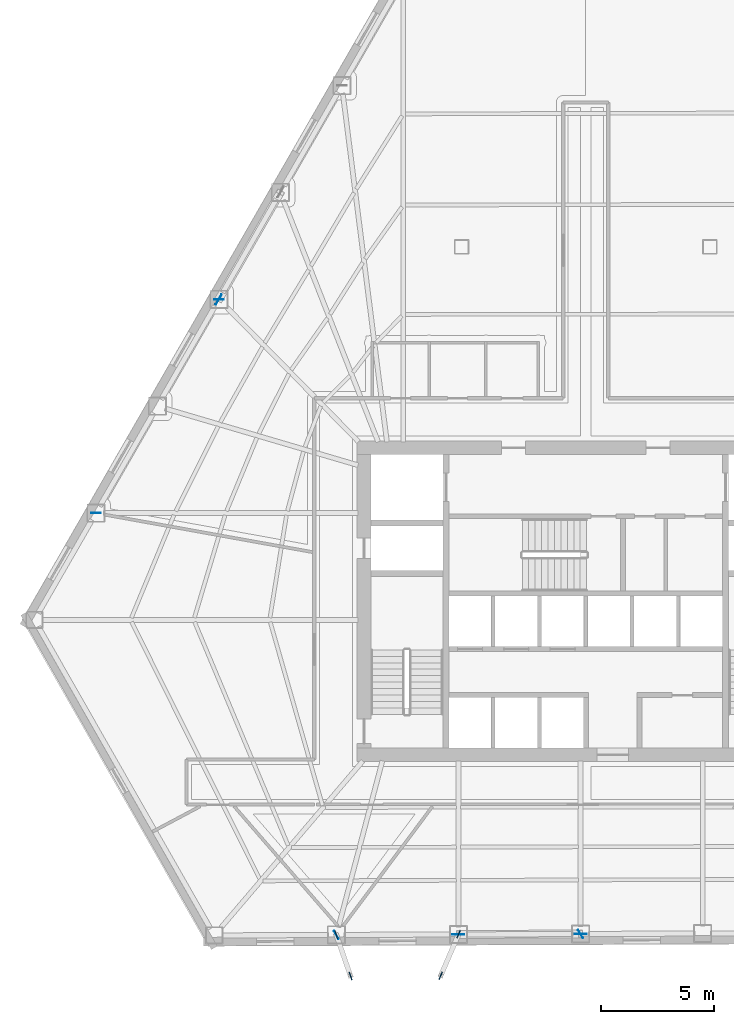
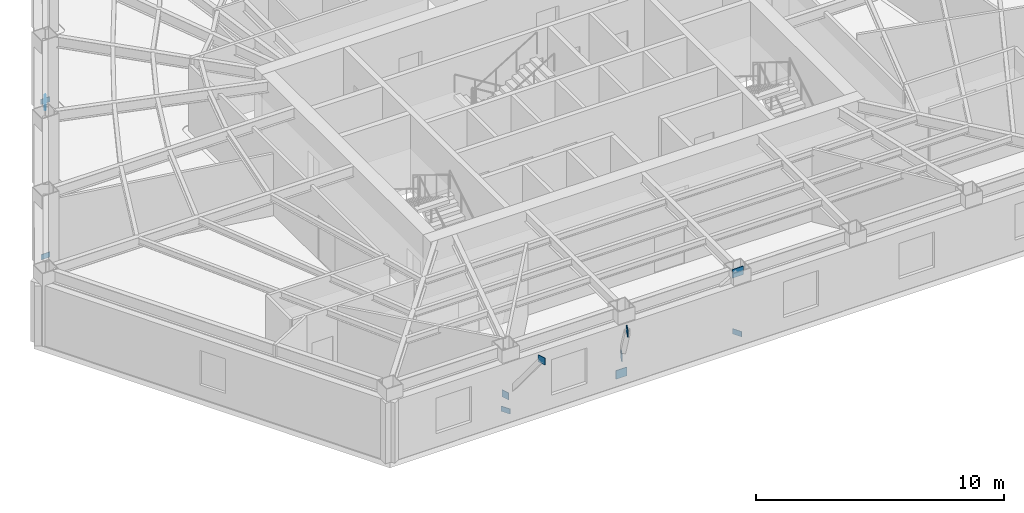
# One storey, part 4 of 12: 11 plates.
"""IFC4 building model written with IfcOpenShell, lengths in metres."""

from ifc_helpers import new_model, si_unit, direction, frame, origin, origin_2d, place, context, subcontext, project, spatial, rectangle, extrude, material, layer, layer_set, type_object, element, save


model = new_model("IFC4")

# Units and contexts
model_context = context("Model", 3, precision=1e-05, world=origin(), true_north=direction((0.0, 1.0)))
body_context = subcontext(model_context, "Body", "Model", "MODEL_VIEW")
ifc_project = project(units=[si_unit("LENGTHUNIT", "METRE"), si_unit("AREAUNIT", "SQUARE_METRE"), si_unit("VOLUMEUNIT", "CUBIC_METRE"), si_unit("PLANEANGLEUNIT", "RADIAN"), si_unit("MASSUNIT", "GRAM", prefix="KILO")], contexts=[model_context])

# Site, building, storey
site_placement = place(None, origin())
site = spatial("IfcSite", under=ifc_project, at=site_placement, CompositionType="ELEMENT")
building_placement = place(site_placement, origin())
building = spatial("IfcBuilding", under=site, at=building_placement, Name="Kavelnor Concourse Tower", CompositionType="ELEMENT")
storey_placement = place(building_placement, frame((0.0, 0.0, 13.699951171875)))
storey = spatial("IfcBuildingStorey", under=building, at=storey_placement, Name="L03", CompositionType="ELEMENT", Elevation=13.699951171875)

# Plates
ifc_material = material(Name="Steel Grade 350", Category="steel")
ifc_layer_1 = layer(ifc_material, 0.028076171875, Name="Steel Grade 350")
ifc_layer_set_1 = layer_set([ifc_layer_1], Name="Steel Grade 350")
plate_type_1 = type_object("IfcPlateType", Name="PL-GUSSET-FOLD", PredefinedType="USERDEFINED", material=ifc_layer_set_1)
for number, where, z_axis, x_axis, name in (
    (1, (26.951904296875, 1.3359375, 0.8798828125), (0.0, 0.0, 1.0), (0.3265581205, -0.945177123049, 0.0), "L03 Balcony Strut Gusset GP4 1-A End Gusset A"),
    (2, (27.58447265625, -0.4951171875, 3.48486328125), (0.0, 0.0, 1.0), (0.3265581205, -0.945177123049, 0.0), "L03 Balcony Strut Gusset GP4 1-A End Gusset B"),
    (3, (32.368896484375, 1.357177734375, 0.8798828125), (0.0, 0.0, 1.0), (-0.395224880204, -0.918584396813, 0.0), "L03 Balcony Strut Gusset GP4 1-B End Gusset A"),
    (4, (31.57568359375, -0.486083984375, 3.48486328125), (0.0, 0.0, 1.0), (-0.395224880204, -0.918584396813, 0.0), "L03 Balcony Strut Gusset GP4 1-B End Gusset B"),
):
    element("IfcPlate", number, at=place(storey_placement, frame(where, z_axis=z_axis, x_axis=x_axis)), inside=storey, type_object=plate_type_1, Name=name, ObjectType="GUSSET_PLATE", PredefinedType="USERDEFINED", context=body_context, shape_type="SweptSolid", body=[
        extrude(rectangle(XDim=0.360107421875, YDim=0.028076171875, at=origin_2d()), origin(), (0.0, 0.0, 1.0), 0.340087890625),
    ])
ifc_layer_2 = layer(ifc_material, 0.031982421875, Name="Steel Grade 350")
ifc_layer_set_2 = layer_set([ifc_layer_2], Name="Steel Grade 350")
plate_type_2 = type_object("IfcPlateType", Name="PL-GUSSET-TUBE-Z1", PredefinedType="USERDEFINED", material=ifc_layer_set_2)
for number, where, z_axis, x_axis, name in (
    (5, (21.744140625, 29.467529296875, 0.010009765625), (0.0, 0.0, 1.0), (0.498790313429, 0.866722691078, 0.0), "L03 Tube Brace Gusset GP3 F0-B2 End Gusset A"),
    (6, (32.352294921875, 1.34619140625, 0.010009765625), (0.0, 0.0, 1.0), (0.99999194288, 0.004014246498, 0.0), "L03 Tube Brace Gusset GP3 F1-B2 End Gusset A"),
    (7, (37.784423828125, 1.36767578125, 3.073974609375), (0.0, 0.0, 1.0), (0.99999194288, 0.004014246498, 0.0), "L03 Tube Brace Gusset GP3 F1-B2 End Gusset B"),
):
    element("IfcPlate", number, at=place(storey_placement, frame(where, z_axis=z_axis, x_axis=x_axis)), inside=storey, type_object=plate_type_2, Name=name, ObjectType="GUSSET_PLATE", PredefinedType="USERDEFINED", context=body_context, shape_type="SweptSolid", body=[
        extrude(rectangle(XDim=0.52001953125, YDim=0.031982421875, at=origin_2d()), origin(), (0.0, 0.0, 1.0), 0.419921875),
    ])
ifc_layer_3 = layer(ifc_material, 0.02490234375, Name="Steel Grade 350")
ifc_layer_set_3 = layer_set([ifc_layer_3], Name="Steel Grade 350")
plate_type_3 = type_object("IfcPlateType", Name="PL-SPLICE-FLANGE", PredefinedType="SHEET", material=ifc_layer_set_3)
for number, where, z_axis, x_axis, name in (
    (8, (21.75, 29.477783203125, 0.169921875), (0.0, 0.0, 1.0), (1.0, 0.0, 0.0), "L03 Column Flange Splice Plate F0-B3"),
    (9, (16.302978515625, 20.01171875, 0.169921875), (0.0, 0.0, 1.0), (1.0, 0.0, 0.0), "L03 Column Flange Splice Plate F0-B5"),
    (10, (26.955810546875, 1.32470703125, 0.169921875), (0.0, 0.0, 1.0), (-0.5, 0.866025403784, 0.0), "L03 Column Flange Splice Plate F1-B1"),
    (11, (37.7724609375, 1.36767578125, 0.169921875), (0.0, 0.0, 1.0), (-0.5, 0.866025403784, 0.0), "L03 Column Flange Splice Plate F1-B3"),
):
    element("IfcPlate", number, at=place(storey_placement, frame(where, z_axis=z_axis, x_axis=x_axis)), inside=storey, type_object=plate_type_3, Name=name, PredefinedType="SHEET", context=body_context, shape_type="SweptSolid", body=[
        extrude(rectangle(XDim=0.419921875, YDim=0.02490234375, at=origin_2d()), origin(), (0.0, 0.0, 1.0), 0.260009765625),
    ])

save(model, "model.ifc")
